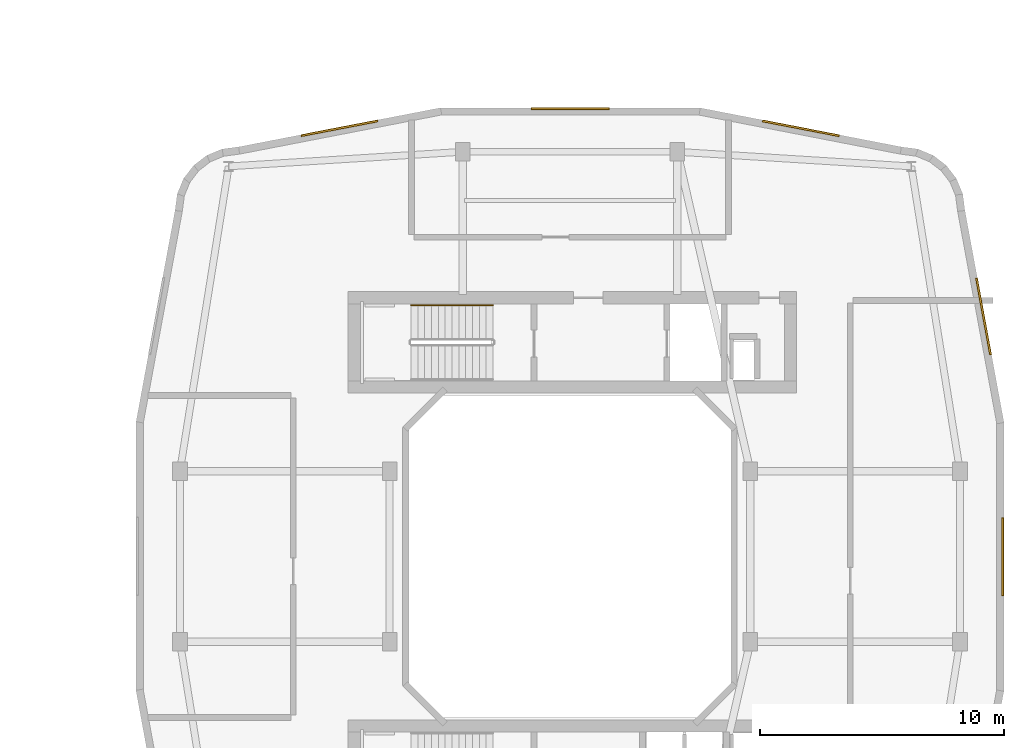
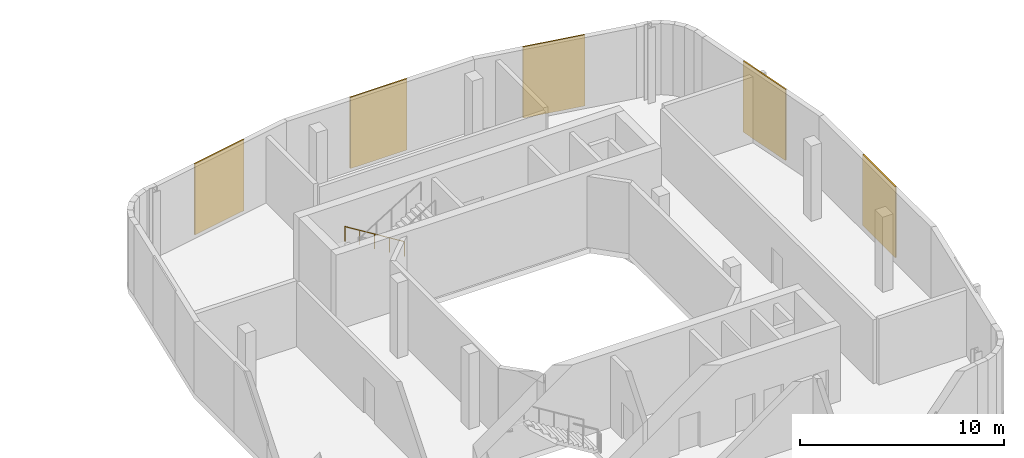
# One storey, part 18 of 18: 5 coverings, 1 railing.
"""IFC4 building model written with IfcOpenShell, lengths in metres."""

from ifc_helpers import new_model, si_unit, derived_unit, direction, frame, origin, origin_2d, place, context, subcontext, project, spatial, rectangle, circle, extrude, material, layer, layer_set, type_object, element, save


model = new_model("IFC4")

# Units and contexts
model_context = context("Model", 3, precision=1e-05, world=origin(), true_north=direction((0.0, 1.0)))
body_context = subcontext(model_context, "Body", "Model", "MODEL_VIEW")
ifc_project = project(units=[si_unit("LENGTHUNIT", "METRE"), si_unit("AREAUNIT", "SQUARE_METRE"), si_unit("VOLUMEUNIT", "CUBIC_METRE"), si_unit("PLANEANGLEUNIT", "RADIAN"), si_unit("MASSUNIT", "GRAM", prefix="KILO"), derived_unit("THERMALTRANSMITTANCEUNIT", [(si_unit("POWERUNIT", "WATT"), 1), (si_unit("LENGTHUNIT", "METRE"), -2), (si_unit("THERMODYNAMICTEMPERATUREUNIT", "KELVIN"), -1)])], contexts=[model_context])

# Site, building, storey
site_placement = place(None, origin())
site = spatial("IfcSite", under=ifc_project, at=site_placement, CompositionType="ELEMENT")
building_placement = place(site_placement, origin())
building = spatial("IfcBuilding", under=site, at=building_placement, Name="Kivonza Crest Hotel", CompositionType="ELEMENT")
storey_placement = place(building_placement, frame((0.0, 0.0, 90.5)))
storey = spatial("IfcBuildingStorey", under=building, at=storey_placement, Name="L24", CompositionType="ELEMENT", Elevation=90.5)

# Coverings
ifc_material_1 = material(Name="Anodised bronze aluminium acoustic louvre cladding", Category="aluminium")
ifc_layer = layer(ifc_material_1, 0.080078125)
ifc_layer_set = layer_set([ifc_layer], Name="Anodised bronze aluminium acoustic louvre cladding")
covering_type = type_object("IfcCoveringType", Name="CV-CLAD-80", PredefinedType="CLADDING", material=ifc_layer_set)
for number, where, z_axis, x_axis, name in (
    (1, (94.760009765625, 24.98291015625, 0.0), (0.0, 0.0, 1.0), (0.0, 1.0, 0.0), "L24 T2 terracotta baguette and louvre screen 17"),
    (2, (93.962890625, 34.843994140625, 0.0), (0.0, 0.0, 1.0), (-0.181205763627, 0.983445204995, 0.0), "L24 T2 terracotta baguette and louvre screen 18"),
    (3, (86.470947265625, 42.55908203125, 0.0), (0.0, 0.0, 1.0), (-0.981760154029, 0.190123643878, 0.0), "L24 T2 terracotta baguette and louvre screen 25"),
    (4, (77.01708984375, 43.360107421875, 0.0), (0.0, 0.0, 1.0), (-1.0, 0.0, 0.0), "L24 T2 terracotta baguette and louvre screen 26"),
    (5, (67.5458984375, 42.56201171875, 0.0), (0.0, 0.0, 1.0), (-0.981760154029, -0.190123643878, 0.0), "L24 T2 terracotta baguette and louvre screen 27"),
):
    element("IfcCovering", number, at=place(storey_placement, frame(where, z_axis=z_axis, x_axis=x_axis)), inside=storey, type_object=covering_type, Name=name, PredefinedType="CLADDING", context=body_context, shape_type="SweptSolid", body=[
        extrude(rectangle(XDim=3.199951171875, YDim=0.080078125, at=origin_2d()), origin(), (0.0, 0.0, 1.0), 4.25),
    ])

# Railing
ifc_material_2 = material(Name="Brushed stainless steel handrail", Category="steel")
railing_type = type_object("IfcRailingType", Name="RL-HAND-900", PredefinedType="HANDRAIL", material=ifc_material_2)
railing_placement = place(storey_placement, frame((73.840087890625, 35.31005859375, 0.173095703125)))
element("IfcRailing", 6, at=railing_placement, inside=storey, type_object=railing_type, Name="L24 ST-T2-N stair handrail 1", PredefinedType="HANDRAIL", context=body_context, shape_type="SweptSolid", body=[
    extrude(circle(Radius=0.02392578125, at=origin_2d()), frame((0.0, 0.0, 0.8759765625), z_axis=(-0.850623216509, 0.0, 0.525775754039), x_axis=(0.0, -1.0, 0.0)), (0.0, 0.0, 1.0), 3.9501953125),
    extrude(circle(Radius=0.02099609375, at=origin_2d()), origin(), (0.0, 0.0, 1.0), 0.851806640625),
    extrude(circle(Radius=0.02099609375, at=origin_2d()), frame((-0.840087890625, 0.0, 0.519287109375)), (0.0, 0.0, 1.0), 0.851806640625),
    extrude(circle(Radius=0.02099609375, at=origin_2d()), frame((-1.68017578125, 0.0, 1.03857421875)), (0.0, 0.0, 1.0), 0.851806640625),
    extrude(circle(Radius=0.02099609375, at=origin_2d()), frame((-2.52001953125, 0.0, 1.5576171875)), (0.0, 0.0, 1.0), 0.851806640625),
    extrude(circle(Radius=0.02099609375, at=origin_2d()), frame((-3.360107421875, 0.0, 2.076904296875)), (0.0, 0.0, 1.0), 0.851806640625),
])

save(model, "model.ifc")
